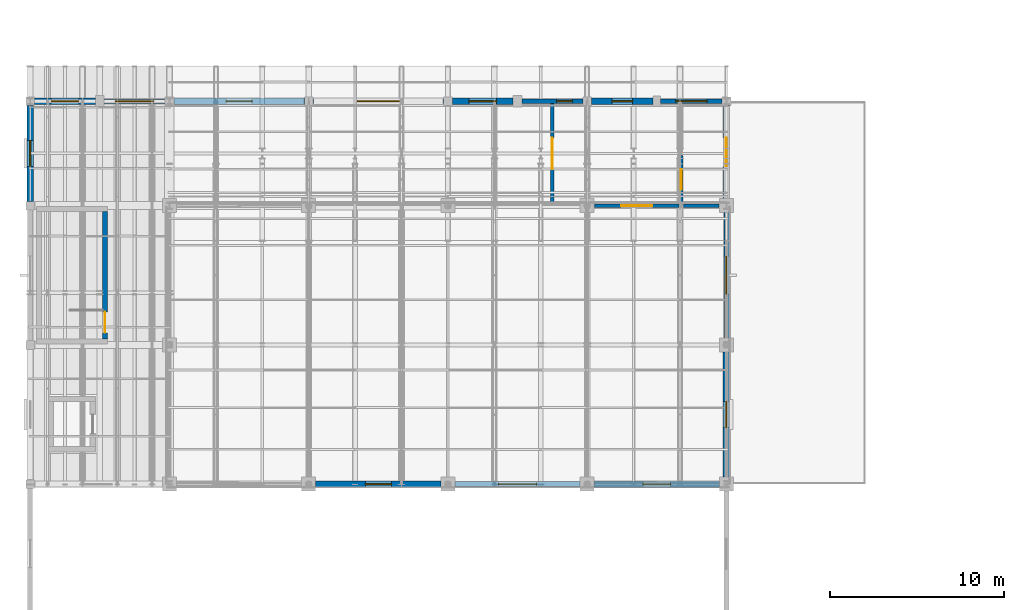
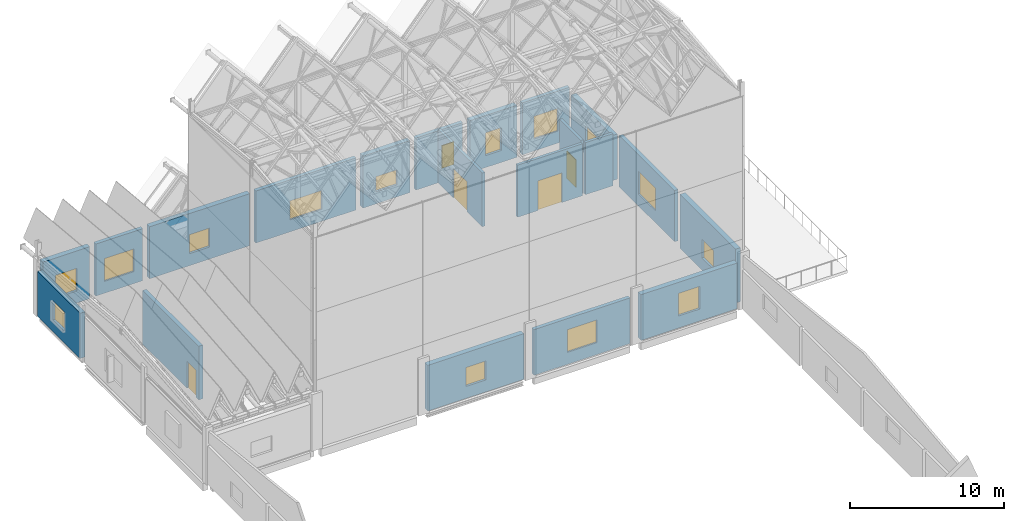
# One storey, part 31 of 48: 20 walls, 14 windows, 5 doors, 19 openings.
"""IFC4 building model written with IfcOpenShell, lengths in metres."""

from ifc_helpers import new_model, si_unit, direction, frame, frame_2d, origin, place, context, subcontext, project, spatial, rectangle, extrude, material, layer, layer_set, type_object, element, fill, save


model = new_model("IFC4")

# Units and contexts
model_context = context("Model", 3, precision=1e-05, world=origin(), true_north=direction((0.0, 1.0)))
body_context = subcontext(model_context, "Body", "Model", "MODEL_VIEW")
ifc_project = project(units=[si_unit("LENGTHUNIT", "METRE"), si_unit("AREAUNIT", "SQUARE_METRE"), si_unit("VOLUMEUNIT", "CUBIC_METRE"), si_unit("PLANEANGLEUNIT", "RADIAN"), si_unit("MASSUNIT", "GRAM", prefix="KILO")], contexts=[model_context])

# Site, building, storey
site_placement = place(None, origin())
site = spatial("IfcSite", under=ifc_project, at=site_placement, CompositionType="ELEMENT")
building_placement = place(site_placement, origin())
building = spatial("IfcBuilding", under=site, at=building_placement, Name="Luwemba Playhouse", CompositionType="ELEMENT")
storey_placement = place(building_placement, frame((0.0, 0.0, 13.800048828125)))
storey = spatial("IfcBuildingStorey", under=building, at=storey_placement, Name="L03", CompositionType="ELEMENT", Elevation=13.800048828125)

# Wall, opening, window
ifc_material_1 = material(Name="Clay facing brick obra vista masonry", Category="masonry")
ifc_layer_1 = layer(ifc_material_1, 0.3798828125)
ifc_layer_set_1 = layer_set([ifc_layer_1], Name="Clay facing brick obra vista masonry")
wall_type_1 = type_object("IfcWallType", Name="WAL-BRK-380", PredefinedType="SOLIDWALL", material=ifc_layer_set_1)
wall_1_placement = place(storey_placement, frame((4.0, 84.25, 0.0), z_axis=(0.0, 0.0, 1.0), x_axis=(0.0, 1.0, 0.0)))
wall_1 = element("IfcWall", 1, at=wall_1_placement, inside=storey, type_object=wall_type_1, Name="L03 V2 exterior facade wall 0410", PredefinedType="SOLIDWALL", context=body_context, shape_type="SweptSolid", body=[
    extrude(rectangle(XDim=5.5, YDim=0.3798828125, at=frame_2d((2.75, 0.0))), origin(), (0.0, 0.0, 1.0), 3.5849609375),
])
opening_1_placement = place(wall_1_placement, frame((2.0, 0.0, 0.949951171875)))
opening_1 = element("IfcOpeningElement", 2, at=opening_1_placement, cuts=wall_1, Name="Opening WN-09", PredefinedType="OPENING", context=body_context, shape_type="SweptSolid", body=[
    extrude(rectangle(XDim=1.5, YDim=1.5, at=frame_2d((0.75, 0.75))), frame((0.0, 0.199951171875, 0.0), z_axis=(0.0, -1.0, 0.0), x_axis=(1.0, 0.0, 0.0)), (0.0, 0.0, 1.0), 0.39990234375),
])
ifc_material_2 = material(Name="Solar-control double glazing in aluminium frame", Category="aluminium")
window_type_1 = type_object("IfcWindowType", Name="WIN-WN-09", PartitioningType="DOUBLE_PANEL_VERTICAL", PredefinedType="WINDOW", material=ifc_material_2)
window_1_placement = place(opening_1_placement, origin())
window_1 = element("IfcWindow", 3, at=window_1_placement, inside=storey, type_object=window_type_1, Name="L03 V2 scheduled window 0353", OverallHeight=1.5, OverallWidth=1.5, PartitioningType="DOUBLE_PANEL_VERTICAL", PredefinedType="WINDOW", context=body_context, shape_type="SweptSolid", body=[
    extrude(rectangle(XDim=1.5, YDim=1.5, at=frame_2d((0.75, 0.75))), frame((0.0, 0.030029296875, 0.0), z_axis=(0.0, -1.0, 0.0), x_axis=(1.0, 0.0, 0.0)), (0.0, 0.0, 1.0), 0.06005859375),
])
fill(opening_1, window_1)

wall_2_placement = place(storey_placement, frame((4.25, 90.0, 0.0), z_axis=(0.0, 0.0, 1.0), x_axis=(1.0, 0.0, 0.0)))
wall_2 = element("IfcWall", 4, at=wall_2_placement, inside=storey, type_object=wall_type_1, Name="L03 V2 exterior facade wall 0411", PredefinedType="SOLIDWALL", context=body_context, shape_type="SweptSolid", body=[
    extrude(rectangle(XDim=3.5, YDim=0.3798828125, at=frame_2d((1.75, 0.0))), origin(), (0.0, 0.0, 1.0), 4.125),
])
opening_2_placement = place(wall_2_placement, frame((0.949951171875, 0.0, 0.949951171875)))
opening_2 = element("IfcOpeningElement", 5, at=opening_2_placement, cuts=wall_2, Name="Opening WN-03", PredefinedType="OPENING", context=body_context, shape_type="SweptSolid", body=[
    extrude(rectangle(XDim=1.60009765625, YDim=1.800048828125, at=frame_2d((0.800048828125, 0.89990234375))), frame((0.0, 0.199951171875, 0.0), z_axis=(0.0, -1.0, 0.0), x_axis=(1.0, 0.0, 0.0)), (0.0, 0.0, 1.0), 0.39990234375),
])
window_type_2 = type_object("IfcWindowType", Name="WIN-WN-03", PartitioningType="DOUBLE_PANEL_VERTICAL", PredefinedType="WINDOW", material=ifc_material_2)
window_2_placement = place(opening_2_placement, origin())
window_2 = element("IfcWindow", 6, at=window_2_placement, inside=storey, type_object=window_type_2, Name="L03 V2 scheduled window 0354", OverallHeight=1.800048828125, OverallWidth=1.60009765625, PartitioningType="DOUBLE_PANEL_VERTICAL", PredefinedType="WINDOW", context=body_context, shape_type="SweptSolid", body=[
    extrude(rectangle(XDim=1.60009765625, YDim=1.800048828125, at=frame_2d((0.800048828125, 0.89990234375))), frame((0.0, 0.030029296875, 0.0), z_axis=(0.0, -1.0, 0.0), x_axis=(1.0, 0.0, 0.0)), (0.0, 0.0, 1.0), 0.06005859375),
])
fill(opening_2, window_2)

wall_3_placement = place(storey_placement, frame((12.25, 90.0, 0.0), z_axis=(0.0, 0.0, 1.0), x_axis=(1.0, 0.0, 0.0)))
wall_3 = element("IfcWall", 7, at=wall_3_placement, inside=storey, type_object=wall_type_1, Name="L03 V2 exterior facade wall 0413", PredefinedType="SOLIDWALL", context=body_context, shape_type="SweptSolid", body=[
    extrude(rectangle(XDim=7.5, YDim=0.3798828125, at=frame_2d((3.75, 0.0))), origin(), (0.0, 0.0, 1.0), 4.125),
])
opening_3_placement = place(wall_3_placement, frame((3.0, 0.0, 0.949951171875)))
opening_3 = element("IfcOpeningElement", 8, at=opening_3_placement, cuts=wall_3, Name="Opening WN-09", PredefinedType="OPENING", context=body_context, shape_type="SweptSolid", body=[
    extrude(rectangle(XDim=1.5, YDim=1.5, at=frame_2d((0.75, 0.75))), frame((0.0, 0.199951171875, 0.0), z_axis=(0.0, -1.0, 0.0), x_axis=(1.0, 0.0, 0.0)), (0.0, 0.0, 1.0), 0.39990234375),
])
window_3_placement = place(opening_3_placement, origin())
window_3 = element("IfcWindow", 9, at=window_3_placement, inside=storey, type_object=window_type_1, Name="L03 V2 scheduled window 0356", OverallHeight=1.5, OverallWidth=1.5, PartitioningType="DOUBLE_PANEL_VERTICAL", PredefinedType="WINDOW", context=body_context, shape_type="SweptSolid", body=[
    extrude(rectangle(XDim=1.5, YDim=1.5, at=frame_2d((0.75, 0.75))), frame((0.0, 0.030029296875, 0.0), z_axis=(0.0, -1.0, 0.0), x_axis=(1.0, 0.0, 0.0)), (0.0, 0.0, 1.0), 0.06005859375),
])
fill(opening_3, window_3)

wall_4_placement = place(storey_placement, frame((28.25, 90.0, 0.0), z_axis=(0.0, 0.0, 1.0), x_axis=(1.0, 0.0, 0.0)))
wall_4 = element("IfcWall", 10, at=wall_4_placement, inside=storey, type_object=wall_type_1, Name="L03 V2 exterior facade wall 0415", PredefinedType="SOLIDWALL", context=body_context, shape_type="SweptSolid", body=[
    extrude(rectangle(XDim=3.5, YDim=0.3798828125, at=frame_2d((1.75, 0.0))), origin(), (0.0, 0.0, 1.0), 4.125),
])
opening_4_placement = place(wall_4_placement, frame((0.949951171875, 0.0, 0.949951171875)))
opening_4 = element("IfcOpeningElement", 11, at=opening_4_placement, cuts=wall_4, Name="Opening WN-15", PredefinedType="OPENING", context=body_context, shape_type="SweptSolid", body=[
    extrude(rectangle(XDim=1.60009765625, YDim=1.199951171875, at=frame_2d((0.800048828125, 0.60009765625))), frame((0.0, 0.199951171875, 0.0), z_axis=(0.0, -1.0, 0.0), x_axis=(1.0, 0.0, 0.0)), (0.0, 0.0, 1.0), 0.39990234375),
])
window_type_3 = type_object("IfcWindowType", Name="WIN-WN-15", PartitioningType="DOUBLE_PANEL_HORIZONTAL", PredefinedType="WINDOW", material=ifc_material_2)
window_4_placement = place(opening_4_placement, origin())
window_4 = element("IfcWindow", 12, at=window_4_placement, inside=storey, type_object=window_type_3, Name="L03 V2 scheduled window 0358", OverallHeight=1.199951171875, OverallWidth=1.60009765625, PartitioningType="DOUBLE_PANEL_HORIZONTAL", PredefinedType="WINDOW", context=body_context, shape_type="SweptSolid", body=[
    extrude(rectangle(XDim=1.60009765625, YDim=1.199951171875, at=frame_2d((0.800048828125, 0.60009765625))), frame((0.0, 0.030029296875, 0.0), z_axis=(0.0, -1.0, 0.0), x_axis=(1.0, 0.0, 0.0)), (0.0, 0.0, 1.0), 0.06005859375),
])
fill(opening_4, window_4)

wall_5_placement = place(storey_placement, frame((36.25, 90.0, 0.0), z_axis=(0.0, 0.0, 1.0), x_axis=(1.0, 0.0, 0.0)))
wall_5 = element("IfcWall", 13, at=wall_5_placement, inside=storey, type_object=wall_type_1, Name="L03 V2 exterior facade wall 0417", PredefinedType="SOLIDWALL", context=body_context, shape_type="SweptSolid", body=[
    extrude(rectangle(XDim=3.52490234375, YDim=0.3798828125, at=frame_2d((1.762451171875, 0.0))), origin(), (0.0, 0.0, 1.0), 4.125),
])
opening_5_placement = place(wall_5_placement, frame((1.16259765625, 0.0, 0.949951171875)))
opening_5 = element("IfcOpeningElement", 14, at=opening_5_placement, cuts=wall_5, Name="Opening WN-01", PredefinedType="OPENING", context=body_context, shape_type="SweptSolid", body=[
    extrude(rectangle(XDim=1.199951171875, YDim=1.800048828125, at=frame_2d((0.60009765625, 0.89990234375))), frame((0.0, 0.199951171875, 0.0), z_axis=(0.0, -1.0, 0.0), x_axis=(1.0, 0.0, 0.0)), (0.0, 0.0, 1.0), 0.39990234375),
])
window_type_4 = type_object("IfcWindowType", Name="WIN-WN-01", PartitioningType="SINGLE_PANEL", PredefinedType="WINDOW", material=ifc_material_2)
window_5_placement = place(opening_5_placement, origin())
window_5 = element("IfcWindow", 15, at=window_5_placement, inside=storey, type_object=window_type_4, Name="L03 V2 scheduled window 0360", OverallHeight=1.800048828125, OverallWidth=1.199951171875, PartitioningType="SINGLE_PANEL", PredefinedType="WINDOW", context=body_context, shape_type="SweptSolid", body=[
    extrude(rectangle(XDim=1.199951171875, YDim=1.800048828125, at=frame_2d((0.60009765625, 0.89990234375))), frame((0.0, 0.030029296875, 0.0), z_axis=(0.0, -1.0, 0.0), x_axis=(1.0, 0.0, 0.0)), (0.0, 0.0, 1.0), 0.06005859375),
])
fill(opening_5, window_5)

# Wall, opening, door
wall_6_placement = place(storey_placement, frame((44.0, 89.75, 0.0), z_axis=(0.0, 0.0, 1.0), x_axis=(0.0, -1.0, 0.0)))
wall_6 = element("IfcWall", 16, at=wall_6_placement, inside=storey, type_object=wall_type_1, Name="L03 V2 exterior facade wall 0419", PredefinedType="SOLIDWALL", context=body_context, shape_type="SweptSolid", body=[
    extrude(rectangle(XDim=5.35009765625, YDim=0.3798828125, at=frame_2d((2.675048828125, 0.0))), origin(), (0.0, 0.0, 1.0), 3.5849609375),
])
opening_6_placement = place(wall_6_placement, frame((1.85009765625, 0.0, 0.0)))
opening_6 = element("IfcOpeningElement", 17, at=opening_6_placement, cuts=wall_6, Name="Opening D-TR1", PredefinedType="OPENING", context=body_context, shape_type="SweptSolid", body=[
    extrude(rectangle(XDim=1.64990234375, YDim=2.25, at=frame_2d((0.824951171875, 1.125))), frame((0.0, 0.199951171875, 0.0), z_axis=(0.0, -1.0, 0.0), x_axis=(1.0, 0.0, 0.0)), (0.0, 0.0, 1.0), 0.39990234375),
])
ifc_material_3 = material(Name="Architectural bronze-anodised aluminium and glazed leaf", Category="aluminium")
door_type_1 = type_object("IfcDoorType", Name="DR-TER-165", OperationType="NOTDEFINED", PredefinedType="DOOR", material=ifc_material_3)
door_1_placement = place(opening_6_placement, origin())
door_1 = element("IfcDoor", 18, at=door_1_placement, inside=storey, type_object=door_type_1, Name="L03 TER-V2-L03 terrace entrance door", OperationType="DOUBLE_DOOR_SINGLE_SWING", OverallHeight=2.25, OverallWidth=1.64990234375, PredefinedType="DOOR", context=body_context, shape_type="SweptSolid", body=[
    extrude(rectangle(XDim=1.64990234375, YDim=2.25, at=frame_2d((0.824951171875, 1.125))), frame((0.0, 0.02490234375, 0.0), z_axis=(0.0, -1.0, 0.0), x_axis=(1.0, 0.0, 0.0)), (0.0, 0.0, 1.0), 0.050048828125),
])
fill(opening_6, door_1)

# Wall, opening, window
wall_7_placement = place(storey_placement, frame((44.0, 75.60009765625, 0.0), z_axis=(0.0, 0.0, 1.0), x_axis=(0.0, -1.0, 0.0)))
wall_7 = element("IfcWall", 19, at=wall_7_placement, inside=storey, type_object=wall_type_1, Name="L03 V2 exterior facade wall 0421", PredefinedType="SOLIDWALL", context=body_context, shape_type="SweptSolid", body=[
    extrude(rectangle(XDim=7.2001953125, YDim=0.3798828125, at=frame_2d((3.60009765625, 0.0))), origin(), (0.0, 0.0, 1.0), 4.280029296875),
])
opening_7_placement = place(wall_7_placement, frame((2.85009765625, 0.0, 0.949951171875)))
opening_7 = element("IfcOpeningElement", 20, at=opening_7_placement, cuts=wall_7, Name="Opening WN-09", PredefinedType="OPENING", context=body_context, shape_type="SweptSolid", body=[
    extrude(rectangle(XDim=1.5, YDim=1.5, at=frame_2d((0.75, 0.75))), frame((0.0, 0.199951171875, 0.0), z_axis=(0.0, -1.0, 0.0), x_axis=(1.0, 0.0, 0.0)), (0.0, 0.0, 1.0), 0.39990234375),
])
window_6_placement = place(opening_7_placement, origin())
window_6 = element("IfcWindow", 21, at=window_6_placement, inside=storey, type_object=window_type_1, Name="L03 V2 scheduled window 0363", OverallHeight=1.5, OverallWidth=1.5, PartitioningType="DOUBLE_PANEL_VERTICAL", PredefinedType="WINDOW", context=body_context, shape_type="SweptSolid", body=[
    extrude(rectangle(XDim=1.5, YDim=1.5, at=frame_2d((0.75, 0.75))), frame((0.0, 0.030029296875, 0.0), z_axis=(0.0, -1.0, 0.0), x_axis=(1.0, 0.0, 0.0)), (0.0, 0.0, 1.0), 0.06005859375),
])
fill(opening_7, window_6)

wall_8_placement = place(storey_placement, frame((43.60009765625, 68.0, 0.0), z_axis=(0.0, 0.0, 1.0), x_axis=(-1.0, 0.0, 0.0)))
wall_8 = element("IfcWall", 22, at=wall_8_placement, inside=storey, type_object=wall_type_1, Name="L03 V2 exterior facade wall 0422", PredefinedType="SOLIDWALL", context=body_context, shape_type="SweptSolid", body=[
    extrude(rectangle(XDim=7.2001953125, YDim=0.3798828125, at=frame_2d((3.60009765625, 0.0))), origin(), (0.0, 0.0, 1.0), 3.625),
])
opening_8_placement = place(wall_8_placement, frame((2.800048828125, 0.0, 0.949951171875)))
opening_8 = element("IfcOpeningElement", 23, at=opening_8_placement, cuts=wall_8, Name="Opening WN-03", PredefinedType="OPENING", context=body_context, shape_type="SweptSolid", body=[
    extrude(rectangle(XDim=1.60009765625, YDim=1.800048828125, at=frame_2d((0.800048828125, 0.89990234375))), frame((0.0, 0.199951171875, 0.0), z_axis=(0.0, -1.0, 0.0), x_axis=(1.0, 0.0, 0.0)), (0.0, 0.0, 1.0), 0.39990234375),
])
window_7_placement = place(opening_8_placement, origin())
window_7 = element("IfcWindow", 24, at=window_7_placement, inside=storey, type_object=window_type_2, Name="L03 V2 scheduled window 0364", OverallHeight=1.800048828125, OverallWidth=1.60009765625, PartitioningType="DOUBLE_PANEL_VERTICAL", PredefinedType="WINDOW", context=body_context, shape_type="SweptSolid", body=[
    extrude(rectangle(XDim=1.60009765625, YDim=1.800048828125, at=frame_2d((0.800048828125, 0.89990234375))), frame((0.0, 0.030029296875, 0.0), z_axis=(0.0, -1.0, 0.0), x_axis=(1.0, 0.0, 0.0)), (0.0, 0.0, 1.0), 0.06005859375),
])
fill(opening_8, window_7)

wall_9_placement = place(storey_placement, frame((27.60009765625, 68.0, 0.0), z_axis=(0.0, 0.0, 1.0), x_axis=(-1.0, 0.0, 0.0)))
wall_9 = element("IfcWall", 25, at=wall_9_placement, inside=storey, type_object=wall_type_1, Name="L03 V2 exterior facade wall 0424", PredefinedType="SOLIDWALL", context=body_context, shape_type="SweptSolid", body=[
    extrude(rectangle(XDim=7.2001953125, YDim=0.3798828125, at=frame_2d((3.60009765625, 0.0))), origin(), (0.0, 0.0, 1.0), 3.625),
])
opening_9_placement = place(wall_9_placement, frame((2.85009765625, 0.0, 0.949951171875)))
opening_9 = element("IfcOpeningElement", 26, at=opening_9_placement, cuts=wall_9, Name="Opening WN-09", PredefinedType="OPENING", context=body_context, shape_type="SweptSolid", body=[
    extrude(rectangle(XDim=1.5, YDim=1.5, at=frame_2d((0.75, 0.75))), frame((0.0, 0.199951171875, 0.0), z_axis=(0.0, -1.0, 0.0), x_axis=(1.0, 0.0, 0.0)), (0.0, 0.0, 1.0), 0.39990234375),
])
window_8_placement = place(opening_9_placement, origin())
window_8 = element("IfcWindow", 27, at=window_8_placement, inside=storey, type_object=window_type_1, Name="L03 V2 scheduled window 0366", OverallHeight=1.5, OverallWidth=1.5, PartitioningType="DOUBLE_PANEL_VERTICAL", PredefinedType="WINDOW", context=body_context, shape_type="SweptSolid", body=[
    extrude(rectangle(XDim=1.5, YDim=1.5, at=frame_2d((0.75, 0.75))), frame((0.0, 0.030029296875, 0.0), z_axis=(0.0, -1.0, 0.0), x_axis=(1.0, 0.0, 0.0)), (0.0, 0.0, 1.0), 0.06005859375),
])
fill(opening_9, window_8)

# Wall, opening, door
ifc_material_4 = material(Name="Concrete C40/50", Category="concrete")
ifc_layer_2 = layer(ifc_material_4, 0.300048828125)
ifc_layer_set_2 = layer_set([ifc_layer_2], Name="Concrete C40/50")
wall_type_2 = type_object("IfcWallType", Name="WAL-CORE-300", PredefinedType="SHEAR", material=ifc_layer_set_2)
wall_10_placement = place(storey_placement, frame((8.300048828125, 76.340087890625, 0.0), z_axis=(0.0, 0.0, 1.0), x_axis=(0.0, 1.0, 0.0)))
wall_10 = element("IfcWall", 28, at=wall_10_placement, inside=storey, type_object=wall_type_2, Name="L03 ST-03 stair core wall E", PredefinedType="SHEAR", context=body_context, shape_type="SweptSolid", body=[
    extrude(rectangle(XDim=7.31982421875, YDim=0.300048828125, at=frame_2d((3.659912109375, 0.0))), origin(), (0.0, 0.0, 1.0), 4.25),
])
opening_10_placement = place(wall_10_placement, frame((0.35009765625, 0.0, 0.0)))
opening_10 = element("IfcOpeningElement", 29, at=opening_10_placement, cuts=wall_10, Name="Opening D-STAIR3", PredefinedType="OPENING", context=body_context, shape_type="SweptSolid", body=[
    extrude(rectangle(XDim=1.199951171875, YDim=2.14990234375, at=frame_2d((0.60009765625, 1.074951171875))), frame((0.0, 0.159912109375, 0.0), z_axis=(0.0, -1.0, 0.0), x_axis=(1.0, 0.0, 0.0)), (0.0, 0.0, 1.0), 0.320068359375),
])
ifc_material_5 = material(Name="Hardwood acoustic fire door leaf", Category="wood")
door_type_2 = type_object("IfcDoorType", Name="DR-STAIR-120", OperationType="NOTDEFINED", PredefinedType="DOOR", material=ifc_material_5)
door_2_placement = place(opening_10_placement, origin())
door_2 = element("IfcDoor", 30, at=door_2_placement, inside=storey, type_object=door_type_2, Name="L03 ST-03 protected stair entry door", OperationType="SINGLE_SWING_RIGHT", OverallHeight=2.14990234375, OverallWidth=1.199951171875, PredefinedType="DOOR", context=body_context, shape_type="SweptSolid", body=[
    extrude(rectangle(XDim=1.199951171875, YDim=2.14990234375, at=frame_2d((0.60009765625, 1.074951171875))), frame((0.0, 0.02490234375, 0.0), z_axis=(0.0, -1.0, 0.0), x_axis=(1.0, 0.0, 0.0)), (0.0, 0.0, 1.0), 0.050048828125),
])
fill(opening_10, door_2)

ifc_material_6 = material(Name="Clay acoustic masonry blockwork", Category="masonry")
ifc_layer_3 = layer(ifc_material_6, 0.199951171875)
ifc_layer_set_3 = layer_set([ifc_layer_3], Name="Clay acoustic masonry blockwork")
wall_type_3 = type_object("IfcWallType", Name="WAL-INT-200", PredefinedType="PARTITIONING", material=ifc_layer_set_3)
wall_11_placement = place(storey_placement, frame((34.0, 84.1201171875, 0.0), z_axis=(0.0, 0.0, 1.0), x_axis=(0.0, 1.0, 0.0)))
wall_11 = element("IfcWall", 31, at=wall_11_placement, inside=storey, type_object=wall_type_3, Name="L03 V2 interior partition 0197", PredefinedType="PARTITIONING", context=body_context, shape_type="SweptSolid", body=[
    extrude(rectangle(XDim=5.759765625, YDim=0.199951171875, at=frame_2d((2.8798828125, 0.0))), origin(), (0.0, 0.0, 1.0), 4.25),
])
opening_11_placement = place(wall_11_placement, frame((1.97998046875, 0.0, 0.0)))
opening_11 = element("IfcOpeningElement", 32, at=opening_11_placement, cuts=wall_11, Name="Opening D-AUD1", PredefinedType="OPENING", context=body_context, shape_type="SweptSolid", body=[
    extrude(rectangle(XDim=1.800048828125, YDim=2.35009765625, at=frame_2d((0.89990234375, 1.175048828125))), frame((0.0, 0.10986328125, 0.0), z_axis=(0.0, -1.0, 0.0), x_axis=(1.0, 0.0, 0.0)), (0.0, 0.0, 1.0), 0.219970703125),
])
ifc_material_7 = material(Name="Double acoustic timber theatre door", Category="wood")
door_type_3 = type_object("IfcDoorType", Name="DR-AUD-180", OperationType="NOTDEFINED", PredefinedType="DOOR", material=ifc_material_7)
door_3_placement = place(opening_11_placement, origin())
door_3 = element("IfcDoor", 33, at=door_3_placement, inside=storey, type_object=door_type_3, Name="L03 Fly Tower Gridiron North Gallery to Stage Smoke Control Fan Room door", OperationType="DOUBLE_DOOR_SINGLE_SWING", OverallHeight=2.35009765625, OverallWidth=1.800048828125, PredefinedType="DOOR", context=body_context, shape_type="SweptSolid", body=[
    extrude(rectangle(XDim=1.800048828125, YDim=2.35009765625, at=frame_2d((0.89990234375, 1.175048828125))), frame((0.0, 0.02490234375, 0.0), z_axis=(0.0, -1.0, 0.0), x_axis=(1.0, 0.0, 0.0)), (0.0, 0.0, 1.0), 0.050048828125),
])
fill(opening_11, door_3)

wall_12_placement = place(storey_placement, frame((41.39990234375, 84.1201171875, 0.0), z_axis=(0.0, 0.0, 1.0), x_axis=(0.0, 1.0, 0.0)))
wall_12 = element("IfcWall", 34, at=wall_12_placement, inside=storey, type_object=wall_type_3, Name="L03 V2 interior partition 0198", PredefinedType="PARTITIONING", context=body_context, shape_type="SweptSolid", body=[
    extrude(rectangle(XDim=2.759765625, YDim=0.199951171875, at=frame_2d((1.3798828125, 0.0))), origin(), (0.0, 0.0, 1.0), 4.25),
])
opening_12_placement = place(wall_12_placement, frame((0.780029296875, 0.0, 0.0)))
opening_12 = element("IfcOpeningElement", 35, at=opening_12_placement, cuts=wall_12, Name="Opening D-FD120", PredefinedType="OPENING", context=body_context, shape_type="SweptSolid", body=[
    extrude(rectangle(XDim=1.199951171875, YDim=2.199951171875, at=frame_2d((0.60009765625, 1.10009765625))), frame((0.0, 0.10986328125, 0.0), z_axis=(0.0, -1.0, 0.0), x_axis=(1.0, 0.0, 0.0)), (0.0, 0.0, 1.0), 0.219970703125),
])
ifc_material_8 = material(Name="Steel-core fire command door leaf", Category="steel")
door_type_4 = type_object("IfcDoorType", Name="DR-FCC-120", OperationType="NOTDEFINED", PredefinedType="DOOR", material=ifc_material_8)
door_4_placement = place(opening_12_placement, origin())
door_4 = element("IfcDoor", 36, at=door_4_placement, inside=storey, type_object=door_type_4, Name="L03 Stage Smoke Control Fan Room to Gridiron Level Accessible WC door", OperationType="SINGLE_SWING_LEFT", OverallHeight=2.199951171875, OverallWidth=1.199951171875, PredefinedType="DOOR", context=body_context, shape_type="SweptSolid", body=[
    extrude(rectangle(XDim=1.199951171875, YDim=2.199951171875, at=frame_2d((0.60009765625, 1.10009765625))), frame((0.0, 0.02490234375, 0.0), z_axis=(0.0, -1.0, 0.0), x_axis=(1.0, 0.0, 0.0)), (0.0, 0.0, 1.0), 0.050048828125),
])
fill(opening_12, door_4)

wall_13_placement = place(storey_placement, frame((36.419921875, 84.0, 0.0), z_axis=(0.0, 0.0, 1.0), x_axis=(1.0, 0.0, 0.0)))
wall_13 = element("IfcWall", 37, at=wall_13_placement, inside=storey, type_object=wall_type_3, Name="L03 V2 interior partition 0199", PredefinedType="PARTITIONING", context=body_context, shape_type="SweptSolid", body=[
    extrude(rectangle(XDim=4.860107421875, YDim=0.199951171875, at=frame_2d((2.43017578125, 0.0))), origin(), (0.0, 0.0, 1.0), 4.125),
])
opening_13_placement = place(wall_13_placement, frame((1.530029296875, 0.0, 0.0)))
opening_13 = element("IfcOpeningElement", 38, at=opening_13_placement, cuts=wall_13, Name="Opening D-AUD1", PredefinedType="OPENING", context=body_context, shape_type="SweptSolid", body=[
    extrude(rectangle(XDim=1.800048828125, YDim=2.35009765625, at=frame_2d((0.89990234375, 1.175048828125))), frame((0.0, 0.10986328125, 0.0), z_axis=(0.0, -1.0, 0.0), x_axis=(1.0, 0.0, 0.0)), (0.0, 0.0, 1.0), 0.219970703125),
])
door_5_placement = place(opening_13_placement, origin())
door_5 = element("IfcDoor", 39, at=door_5_placement, inside=storey, type_object=door_type_3, Name="L03 Stage Smoke Control Fan Room to Fly Tower Gridiron East Deck door", OperationType="DOUBLE_DOOR_SINGLE_SWING", OverallHeight=2.35009765625, OverallWidth=1.800048828125, PredefinedType="DOOR", context=body_context, shape_type="SweptSolid", body=[
    extrude(rectangle(XDim=1.800048828125, YDim=2.35009765625, at=frame_2d((0.89990234375, 1.175048828125))), frame((0.0, 0.02490234375, 0.0), z_axis=(0.0, -1.0, 0.0), x_axis=(1.0, 0.0, 0.0)), (0.0, 0.0, 1.0), 0.050048828125),
])
fill(opening_13, door_5)

# Wall
wall_14_placement = place(storey_placement, frame((41.52001953125, 84.0, 0.0), z_axis=(0.0, 0.0, 1.0), x_axis=(1.0, 0.0, 0.0)))
element("IfcWall", 40, at=wall_14_placement, inside=storey, type_object=wall_type_3, Name="L03 V2 interior partition 0200", PredefinedType="PARTITIONING", context=body_context, shape_type="SweptSolid", body=[
    extrude(rectangle(XDim=2.06005859375, YDim=0.199951171875, at=frame_2d((1.030029296875, 0.0))), origin(), (0.0, 0.0, 1.0), 4.125),
])

# Wall, opening, window
ifc_material_9 = material(Name="Structural timber GL24h infill", Category="wood")
ifc_layer_4 = layer(ifc_material_9, 0.280029296875)
ifc_layer_set_4 = layer_set([ifc_layer_4], Name="Structural timber GL24h infill")
wall_type_4 = type_object("IfcWallType", Name="WAL-TIM-280", PredefinedType="SOLIDWALL", material=ifc_layer_set_4)
wall_15_placement = place(storey_placement, frame((8.25, 90.0, 0.0), z_axis=(0.0, 0.0, 1.0), x_axis=(1.0, 0.0, 0.0)))
wall_15 = element("IfcWall", 41, at=wall_15_placement, inside=storey, type_object=wall_type_4, Name="L03 V2 exterior facade wall 0412", PredefinedType="SOLIDWALL", context=body_context, shape_type="SweptSolid", body=[
    extrude(rectangle(XDim=3.5, YDim=0.280029296875, at=frame_2d((1.75, 0.0))), origin(), (0.0, 0.0, 1.0), 4.125),
])
opening_14_placement = place(wall_15_placement, frame((0.64990234375, 0.0, 0.949951171875)))
opening_14 = element("IfcOpeningElement", 42, at=opening_14_placement, cuts=wall_15, Name="Opening WN-06", PredefinedType="OPENING", context=body_context, shape_type="SweptSolid", body=[
    extrude(rectangle(XDim=2.199951171875, YDim=1.800048828125, at=frame_2d((1.10009765625, 0.89990234375))), frame((0.0, 0.14990234375, 0.0), z_axis=(0.0, -1.0, 0.0), x_axis=(1.0, 0.0, 0.0)), (0.0, 0.0, 1.0), 0.300048828125),
])
window_type_5 = type_object("IfcWindowType", Name="WIN-WN-06", PartitioningType="TRIPLE_PANEL_VERTICAL", PredefinedType="WINDOW", material=ifc_material_2)
window_9_placement = place(opening_14_placement, origin())
window_9 = element("IfcWindow", 43, at=window_9_placement, inside=storey, type_object=window_type_5, Name="L03 V2 scheduled window 0355", OverallHeight=1.800048828125, OverallWidth=2.199951171875, PartitioningType="TRIPLE_PANEL_VERTICAL", PredefinedType="WINDOW", context=body_context, shape_type="SweptSolid", body=[
    extrude(rectangle(XDim=2.199951171875, YDim=1.800048828125, at=frame_2d((1.10009765625, 0.89990234375))), frame((0.0, 0.030029296875, 0.0), z_axis=(0.0, -1.0, 0.0), x_axis=(1.0, 0.0, 0.0)), (0.0, 0.0, 1.0), 0.06005859375),
])
fill(opening_14, window_9)

wall_16_placement = place(storey_placement, frame((20.25, 90.0, 0.0), z_axis=(0.0, 0.0, 1.0), x_axis=(1.0, 0.0, 0.0)))
wall_16 = element("IfcWall", 44, at=wall_16_placement, inside=storey, type_object=wall_type_4, Name="L03 V2 exterior facade wall 0414", PredefinedType="SOLIDWALL", context=body_context, shape_type="SweptSolid", body=[
    extrude(rectangle(XDim=7.5, YDim=0.280029296875, at=frame_2d((3.75, 0.0))), origin(), (0.0, 0.0, 1.0), 4.125),
])
opening_15_placement = place(wall_16_placement, frame((2.550048828125, 0.0, 0.949951171875)))
opening_15 = element("IfcOpeningElement", 45, at=opening_15_placement, cuts=wall_16, Name="Opening WN-12", PredefinedType="OPENING", context=body_context, shape_type="SweptSolid", body=[
    extrude(rectangle(XDim=2.39990234375, YDim=1.5, at=frame_2d((1.199951171875, 0.75))), frame((0.0, 0.14990234375, 0.0), z_axis=(0.0, -1.0, 0.0), x_axis=(1.0, 0.0, 0.0)), (0.0, 0.0, 1.0), 0.300048828125),
])
window_type_6 = type_object("IfcWindowType", Name="WIN-WN-12", PartitioningType="TRIPLE_PANEL_VERTICAL", PredefinedType="WINDOW", material=ifc_material_2)
window_10_placement = place(opening_15_placement, origin())
window_10 = element("IfcWindow", 46, at=window_10_placement, inside=storey, type_object=window_type_6, Name="L03 V2 scheduled window 0357", OverallHeight=1.5, OverallWidth=2.39990234375, PartitioningType="TRIPLE_PANEL_VERTICAL", PredefinedType="WINDOW", context=body_context, shape_type="SweptSolid", body=[
    extrude(rectangle(XDim=2.39990234375, YDim=1.5, at=frame_2d((1.199951171875, 0.75))), frame((0.0, 0.030029296875, 0.0), z_axis=(0.0, -1.0, 0.0), x_axis=(1.0, 0.0, 0.0)), (0.0, 0.0, 1.0), 0.06005859375),
])
fill(opening_15, window_10)

wall_17_placement = place(storey_placement, frame((32.25, 90.0, 0.0), z_axis=(0.0, 0.0, 1.0), x_axis=(1.0, 0.0, 0.0)))
wall_17 = element("IfcWall", 47, at=wall_17_placement, inside=storey, type_object=wall_type_4, Name="L03 V2 exterior facade wall 0416", PredefinedType="SOLIDWALL", context=body_context, shape_type="SweptSolid", body=[
    extrude(rectangle(XDim=3.5, YDim=0.280029296875, at=frame_2d((1.75, 0.0))), origin(), (0.0, 0.0, 1.0), 4.125),
])
opening_16_placement = place(wall_17_placement, frame((2.0, 0.0, 0.949951171875)))
opening_16 = element("IfcOpeningElement", 48, at=opening_16_placement, cuts=wall_17, Name="Opening WN-18", PredefinedType="OPENING", context=body_context, shape_type="SweptSolid", body=[
    extrude(rectangle(XDim=0.89990234375, YDim=1.800048828125, at=frame_2d((0.449951171875, 0.89990234375))), frame((0.0, 0.14990234375, 0.0), z_axis=(0.0, -1.0, 0.0), x_axis=(1.0, 0.0, 0.0)), (0.0, 0.0, 1.0), 0.300048828125),
])
window_type_7 = type_object("IfcWindowType", Name="WIN-WN-18", PartitioningType="SINGLE_PANEL", PredefinedType="WINDOW", material=ifc_material_2)
window_11_placement = place(opening_16_placement, origin())
window_11 = element("IfcWindow", 49, at=window_11_placement, inside=storey, type_object=window_type_7, Name="L03 V2 scheduled window 0359", OverallHeight=1.800048828125, OverallWidth=0.89990234375, PartitioningType="SINGLE_PANEL", PredefinedType="WINDOW", context=body_context, shape_type="SweptSolid", body=[
    extrude(rectangle(XDim=0.89990234375, YDim=1.800048828125, at=frame_2d((0.449951171875, 0.89990234375))), frame((0.0, 0.030029296875, 0.0), z_axis=(0.0, -1.0, 0.0), x_axis=(1.0, 0.0, 0.0)), (0.0, 0.0, 1.0), 0.06005859375),
])
fill(opening_16, window_11)

wall_18_placement = place(storey_placement, frame((40.22509765625, 90.0, 0.0), z_axis=(0.0, 0.0, 1.0), x_axis=(1.0, 0.0, 0.0)))
wall_18 = element("IfcWall", 50, at=wall_18_placement, inside=storey, type_object=wall_type_4, Name="L03 V2 exterior facade wall 0418", PredefinedType="SOLIDWALL", context=body_context, shape_type="SweptSolid", body=[
    extrude(rectangle(XDim=3.52490234375, YDim=0.280029296875, at=frame_2d((1.762451171875, 0.0))), origin(), (0.0, 0.0, 1.0), 4.125),
])
opening_17_placement = place(wall_18_placement, frame((0.862548828125, 0.0, 0.949951171875)))
opening_17 = element("IfcOpeningElement", 51, at=opening_17_placement, cuts=wall_18, Name="Opening WN-04", PredefinedType="OPENING", context=body_context, shape_type="SweptSolid", body=[
    extrude(rectangle(XDim=1.800048828125, YDim=1.800048828125, at=frame_2d((0.89990234375, 0.89990234375))), frame((0.0, 0.14990234375, 0.0), z_axis=(0.0, -1.0, 0.0), x_axis=(1.0, 0.0, 0.0)), (0.0, 0.0, 1.0), 0.300048828125),
])
window_type_8 = type_object("IfcWindowType", Name="WIN-WN-04", PartitioningType="DOUBLE_PANEL_VERTICAL", PredefinedType="WINDOW", material=ifc_material_2)
window_12_placement = place(opening_17_placement, origin())
window_12 = element("IfcWindow", 52, at=window_12_placement, inside=storey, type_object=window_type_8, Name="L03 V2 scheduled window 0361", OverallHeight=1.800048828125, OverallWidth=1.800048828125, PartitioningType="DOUBLE_PANEL_VERTICAL", PredefinedType="WINDOW", context=body_context, shape_type="SweptSolid", body=[
    extrude(rectangle(XDim=1.800048828125, YDim=1.800048828125, at=frame_2d((0.89990234375, 0.89990234375))), frame((0.0, 0.030029296875, 0.0), z_axis=(0.0, -1.0, 0.0), x_axis=(1.0, 0.0, 0.0)), (0.0, 0.0, 1.0), 0.06005859375),
])
fill(opening_17, window_12)

wall_19_placement = place(storey_placement, frame((44.0, 83.60009765625, 0.0), z_axis=(0.0, 0.0, 1.0), x_axis=(0.0, -1.0, 0.0)))
wall_19 = element("IfcWall", 53, at=wall_19_placement, inside=storey, type_object=wall_type_4, Name="L03 V2 exterior facade wall 0420", PredefinedType="SOLIDWALL", context=body_context, shape_type="SweptSolid", body=[
    extrude(rectangle(XDim=7.2001953125, YDim=0.280029296875, at=frame_2d((3.60009765625, 0.0))), origin(), (0.0, 0.0, 1.0), 4.065673828125),
])
opening_18_placement = place(wall_19_placement, frame((2.5, 0.0, 0.949951171875)))
opening_18 = element("IfcOpeningElement", 54, at=opening_18_placement, cuts=wall_19, Name="Opening WN-06", PredefinedType="OPENING", context=body_context, shape_type="SweptSolid", body=[
    extrude(rectangle(XDim=2.199951171875, YDim=1.800048828125, at=frame_2d((1.10009765625, 0.89990234375))), frame((0.0, 0.14990234375, 0.0), z_axis=(0.0, -1.0, 0.0), x_axis=(1.0, 0.0, 0.0)), (0.0, 0.0, 1.0), 0.300048828125),
])
window_13_placement = place(opening_18_placement, origin())
window_13 = element("IfcWindow", 55, at=window_13_placement, inside=storey, type_object=window_type_5, Name="L03 V2 scheduled window 0362", OverallHeight=1.800048828125, OverallWidth=2.199951171875, PartitioningType="TRIPLE_PANEL_VERTICAL", PredefinedType="WINDOW", context=body_context, shape_type="SweptSolid", body=[
    extrude(rectangle(XDim=2.199951171875, YDim=1.800048828125, at=frame_2d((1.10009765625, 0.89990234375))), frame((0.0, 0.030029296875, 0.0), z_axis=(0.0, -1.0, 0.0), x_axis=(1.0, 0.0, 0.0)), (0.0, 0.0, 1.0), 0.06005859375),
])
fill(opening_18, window_13)

wall_20_placement = place(storey_placement, frame((35.60009765625, 68.0, 0.0), z_axis=(0.0, 0.0, 1.0), x_axis=(-1.0, 0.0, 0.0)))
wall_20 = element("IfcWall", 56, at=wall_20_placement, inside=storey, type_object=wall_type_4, Name="L03 V2 exterior facade wall 0423", PredefinedType="SOLIDWALL", context=body_context, shape_type="SweptSolid", body=[
    extrude(rectangle(XDim=7.2001953125, YDim=0.280029296875, at=frame_2d((3.60009765625, 0.0))), origin(), (0.0, 0.0, 1.0), 3.625),
])
opening_19_placement = place(wall_20_placement, frame((2.5, 0.0, 0.949951171875)))
opening_19 = element("IfcOpeningElement", 57, at=opening_19_placement, cuts=wall_20, Name="Opening WN-06", PredefinedType="OPENING", context=body_context, shape_type="SweptSolid", body=[
    extrude(rectangle(XDim=2.199951171875, YDim=1.800048828125, at=frame_2d((1.10009765625, 0.89990234375))), frame((0.0, 0.14990234375, 0.0), z_axis=(0.0, -1.0, 0.0), x_axis=(1.0, 0.0, 0.0)), (0.0, 0.0, 1.0), 0.300048828125),
])
window_14_placement = place(opening_19_placement, origin())
window_14 = element("IfcWindow", 58, at=window_14_placement, inside=storey, type_object=window_type_5, Name="L03 V2 scheduled window 0365", OverallHeight=1.800048828125, OverallWidth=2.199951171875, PartitioningType="TRIPLE_PANEL_VERTICAL", PredefinedType="WINDOW", context=body_context, shape_type="SweptSolid", body=[
    extrude(rectangle(XDim=2.199951171875, YDim=1.800048828125, at=frame_2d((1.10009765625, 0.89990234375))), frame((0.0, 0.030029296875, 0.0), z_axis=(0.0, -1.0, 0.0), x_axis=(1.0, 0.0, 0.0)), (0.0, 0.0, 1.0), 0.06005859375),
])
fill(opening_19, window_14)

save(model, "model.ifc")
